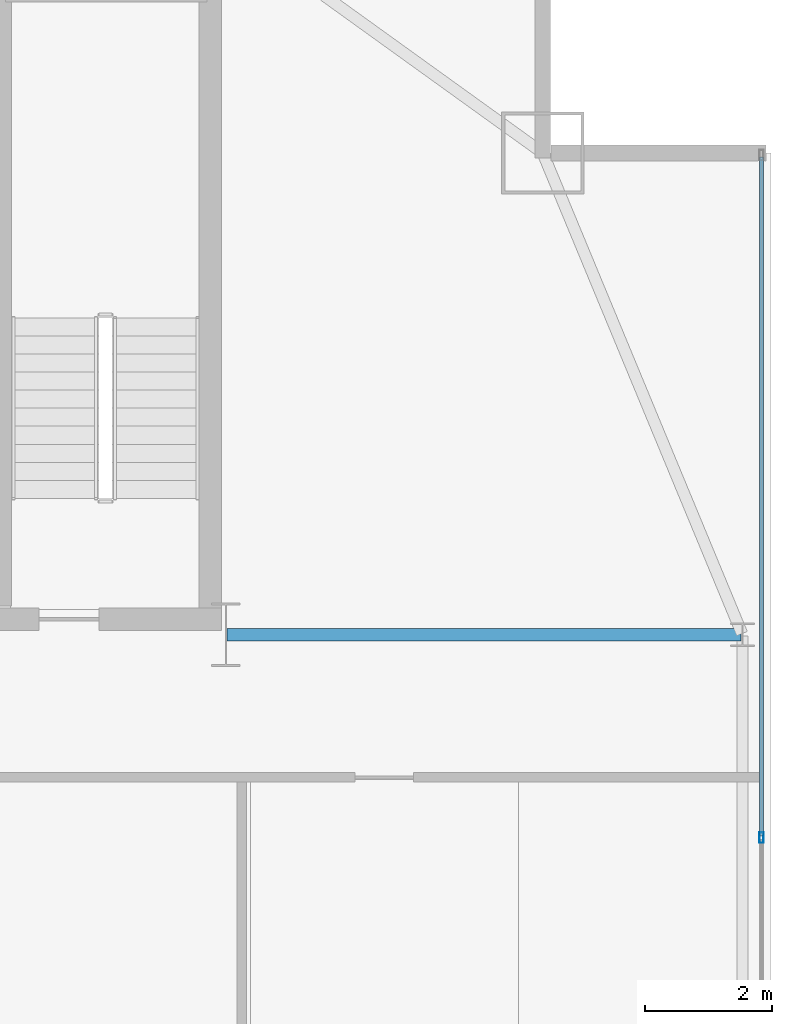
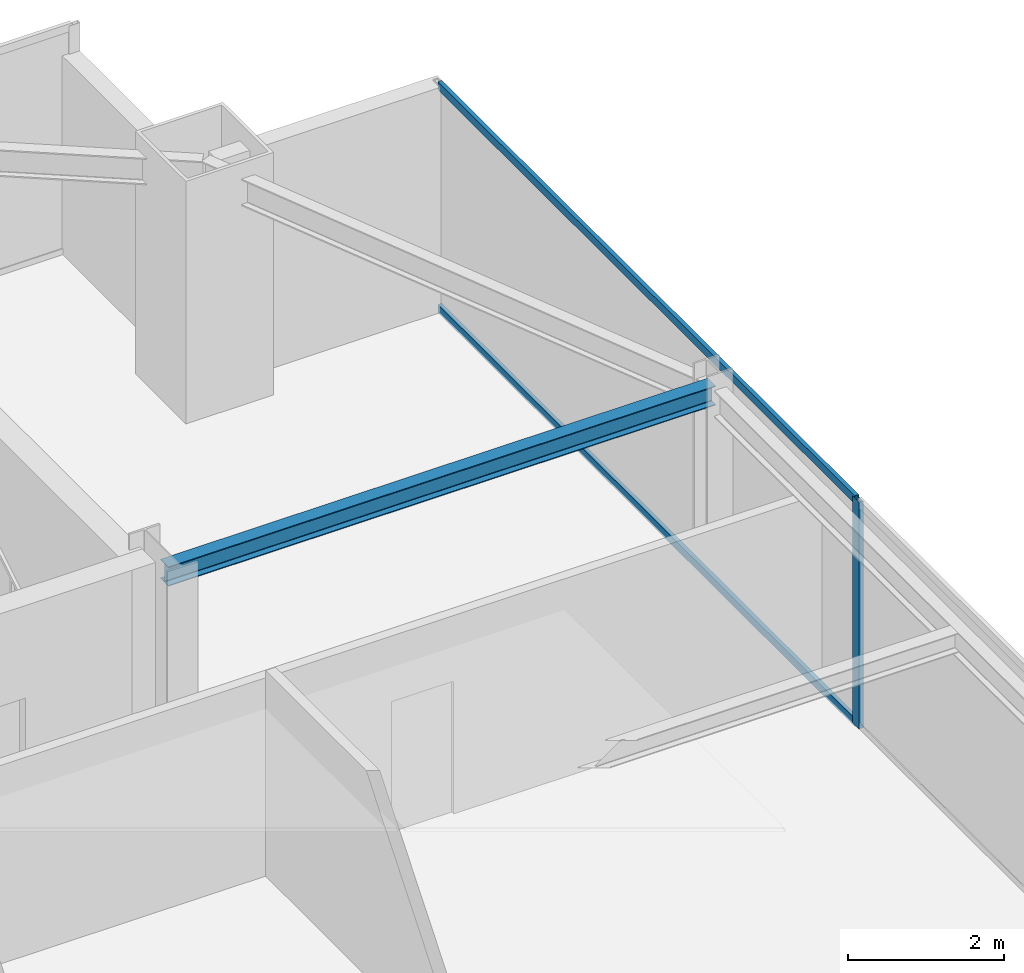
# One storey, part 19 of 30: 3 members, 1 beam, 1 element without a shape of its own.
"""IFC4 building model written with IfcOpenShell, lengths in metres."""

import ifcopenshell
import ifcopenshell.guid

model = None  # the IFC model being written
_history = None  # IfcOwnerHistory: only IFC2X3 demands one
_inside = {}  # id of a spatial element -> (the spatial element, [elements in it])
_under = {}  # id of a project, library or spatial element -> (it, [spatial elements below it])
_declared = {}  # id of a project -> (the project, [libraries it declares])
_typed = {}  # id of a type object -> (the type object, [elements of that type])
_made_of = {}  # id of a material, layer set ... -> (it, [elements and type objects made of it])


def new_model(schema):
    """Start an empty IFC model of exactly this schema.

    Asked for "IFC4X3", IfcOpenShell would pick the latest addendum, in which some entities
    have other attributes; the version numbers below select the first issue.
    IFC2X3 requires an IfcOwnerHistory on every rooted entity: one is made here for all.
    """
    global model, _history
    if schema == "IFC4X3":
        model = ifcopenshell.file(schema_version=(4, 3, 0, 0))
    else:
        model = ifcopenshell.file(schema=schema)
    _inside.clear()
    _under.clear()
    _declared.clear()
    _typed.clear()
    _made_of.clear()
    _history = None
    if model.schema == "IFC2X3":
        org = make("IfcOrganization", Name="unknown")
        user = make(
            "IfcPersonAndOrganization",
            ThePerson=make("IfcPerson", FamilyName="unknown"),
            TheOrganization=org,
        )
        app = make(
            "IfcApplication",
            ApplicationDeveloper=org,
            Version="unknown",
            ApplicationFullName="unknown",
            ApplicationIdentifier="unknown",
        )
        _history = make(
            "IfcOwnerHistory",
            OwningUser=user,
            OwningApplication=app,
            ChangeAction="ADDED",
            CreationDate=0,
        )
    return model


def make(cls, **values):
    """One entity of the class cls with the attributes given. An attribute that is None is left unset."""
    return model.create_entity(
        cls, **{name: value for name, value in values.items() if value is not None}
    )


def rooted(cls, **values):
    """An entity with a GlobalId (a new one), such as an element, a storey or a relation."""
    return make(cls, GlobalId=ifcopenshell.guid.new(), OwnerHistory=_history, **values)


def si_unit(unit_type, name, prefix=None):
    """IfcSIUnit, for example si_unit("LENGTHUNIT", "METRE", prefix="MILLI")."""
    return make("IfcSIUnit", UnitType=unit_type, Prefix=prefix, Name=name)


def assignment(units):
    """IfcUnitAssignment: the units of a project."""
    return None if units is None else make("IfcUnitAssignment", Units=units)


def point(xyz):
    """IfcCartesianPoint."""
    return None if xyz is None else make("IfcCartesianPoint", Coordinates=xyz)


def direction(xyz):
    """IfcDirection."""
    return None if xyz is None else make("IfcDirection", DirectionRatios=xyz)


def frame(location, z_axis=None, x_axis=None):
    """IfcAxis2Placement3D, a coordinate frame: its origin and axes. An axis left out is left unset."""
    return make(
        "IfcAxis2Placement3D",
        Location=point(location),
        Axis=direction(z_axis),
        RefDirection=direction(x_axis),
    )


def frame_2d(location, x_axis=None):
    """IfcAxis2Placement2D, a coordinate frame in the plane: its origin and x axis."""
    return make(
        "IfcAxis2Placement2D", Location=point(location), RefDirection=direction(x_axis)
    )


def origin():
    """The frame at (0, 0, 0) with its axes left unset."""
    return frame((0.0, 0.0, 0.0))


def origin_2d():
    """The frame at (0, 0) in the plane with its x axis left unset."""
    return frame_2d((0.0, 0.0))


def place(relative_to, where):
    """IfcLocalPlacement: puts the frame where relative to a parent placement (None: the world)."""
    return make(
        "IfcLocalPlacement", PlacementRelTo=relative_to, RelativePlacement=where
    )


def context(
    kind, dimensions, precision=None, world=None, true_north=None, identifier=None
):
    """IfcGeometricRepresentationContext, for example the 3D "Model" context."""
    return make(
        "IfcGeometricRepresentationContext",
        ContextIdentifier=identifier,
        ContextType=kind,
        CoordinateSpaceDimension=dimensions,
        Precision=precision,
        WorldCoordinateSystem=world,
        TrueNorth=true_north,
    )


def subcontext(parent, identifier, kind, view, scale=None):
    """IfcGeometricRepresentationSubContext, for example "Body" below "Model"."""
    return make(
        "IfcGeometricRepresentationSubContext",
        ContextIdentifier=identifier,
        ContextType=kind,
        ParentContext=parent,
        TargetScale=scale,
        TargetView=view,
    )


def project(units=None, contexts=None):
    """IfcProject with its units and contexts."""
    return rooted(
        "IfcProject",
        Name="project",
        RepresentationContexts=contexts,
        UnitsInContext=assignment(units),
    )


def spatial(cls, under=None, at=None, **own):
    """A site, building, storey or space (cls), placed at a placement, below another one or the project."""
    s = rooted(cls, ObjectPlacement=at, **own)
    if under is not None:
        _under.setdefault(under.id(), (under, []))[1].append(s)
    return s


def profile(cls, at=None, kind="AREA", **sizes):
    """A parametric profile (cls). Its sizes go by their IFC names, for example OverallWidth=200.0."""
    return make(cls, ProfileType=kind, Position=at, **sizes)


def hollow_rectangle(**sizes):
    """IfcRectangleHollowProfileDef."""
    return profile("IfcRectangleHollowProfileDef", **sizes)


def i_section(**sizes):
    """IfcIShapeProfileDef."""
    return profile("IfcIShapeProfileDef", **sizes)


def extrude(swept, where, along, depth):
    """IfcExtrudedAreaSolid: the profile swept, set in the frame where, extruded along a direction by depth."""
    return make(
        "IfcExtrudedAreaSolid",
        SweptArea=swept,
        Position=where,
        ExtrudedDirection=direction(along),
        Depth=depth,
    )


def shape(context_of_items, identifier, shape_type, items):
    """IfcShapeRepresentation: the items that make up one representation, for example the "Body"."""
    return make(
        "IfcShapeRepresentation",
        ContextOfItems=context_of_items,
        RepresentationIdentifier=identifier,
        RepresentationType=shape_type,
        Items=items,
    )


def source(mapping_origin, context_of_items, identifier, shape_type, items):
    """IfcRepresentationMap: a shape defined once, which mapped items show again and again."""
    return make(
        "IfcRepresentationMap",
        MappingOrigin=mapping_origin,
        MappedRepresentation=shape(context_of_items, identifier, shape_type, items),
    )


def transform(
    local_origin,
    x_axis=None,
    y_axis=None,
    z_axis=None,
    scale=None,
    scale2=None,
    scale3=None,
    uniform=True,
):
    """IfcCartesianTransformationOperator3D, or its non-uniform kind. x_axis, y_axis, z_axis: its Axis1, 2, 3."""
    if uniform:
        return make(
            "IfcCartesianTransformationOperator3D",
            Axis1=direction(x_axis),
            Axis2=direction(y_axis),
            LocalOrigin=point(local_origin),
            Scale=scale,
            Axis3=direction(z_axis),
        )
    return make(
        "IfcCartesianTransformationOperator3DnonUniform",
        Axis1=direction(x_axis),
        Axis2=direction(y_axis),
        LocalOrigin=point(local_origin),
        Scale=scale,
        Axis3=direction(z_axis),
        Scale2=scale2,
        Scale3=scale3,
    )


def mapped(mapping_source, mapping_target):
    """IfcMappedItem: shows the shape of a source again, moved by a transform."""
    return make(
        "IfcMappedItem", MappingSource=mapping_source, MappingTarget=mapping_target
    )


def material(Name=None, Category=None):
    """IfcMaterial."""
    return make("IfcMaterial", Name=Name, Category=Category)


def layer(
    of_material, thickness, ventilated=None, Name=None, Category=None, Priority=None
):
    """IfcMaterialLayer: one layer of a wall or slab, of a material (None: an air gap)."""
    return make(
        "IfcMaterialLayer",
        Material=of_material,
        LayerThickness=thickness,
        IsVentilated=ventilated,
        Name=Name,
        Category=Category,
        Priority=Priority,
    )


def layer_set(layers, Name=None):
    """IfcMaterialLayerSet."""
    return make("IfcMaterialLayerSet", MaterialLayers=layers, LayerSetName=Name)


def material_profile(
    of_material, cross_section, Name=None, Category=None, Priority=None
):
    """IfcMaterialProfile: a cross section and its material."""
    return make(
        "IfcMaterialProfile",
        Name=Name,
        Material=of_material,
        Profile=cross_section,
        Priority=Priority,
        Category=Category,
    )


def profile_set(profiles, Name=None, composite=None):
    """IfcMaterialProfileSet."""
    return make(
        "IfcMaterialProfileSet",
        Name=Name,
        MaterialProfiles=profiles,
        CompositeProfile=composite,
    )


def made_of(thing, what):
    """Note that an element or type object is made of a material, layer set ...; save() writes the relation."""
    if what is not None:
        _made_of.setdefault(what.id(), (what, []))[1].append(thing)
    return thing


def type_object(cls, material=None, **own):
    """A type object (cls), such as IfcWallType, which elements share."""
    return made_of(rooted(cls, **own), material)


def type_shapes(of_type, sources):
    """Give a type object the sources (RepresentationMaps) that its elements show as mapped items."""
    of_type.RepresentationMaps = sources


def element(
    cls,
    number,
    at=None,
    inside=None,
    cuts=None,
    type_object=None,
    material=None,
    context=None,
    identifier="Body",
    shape_type=None,
    held_by="IfcProductDefinitionShape",
    body=None,
    shapes=None,
    **own,
):
    """One element of the class cls, such as IfcWall. Its Tag is "e" and its number.

    at: its placement. inside: the storey or other place that contains it. cuts: it is an
    opening in that element (IfcRelVoidsElement). A single representation is given by context,
    identifier, shape_type and body (its items); several are given by shapes. held_by: the class
    of the entity that holds the representations. save() writes the other relations.
    """
    e = rooted(cls, Tag="e%d" % number, ObjectPlacement=at, **own)
    if body is not None:
        shapes = [shape(context, identifier, shape_type, body)]
    if shapes is not None:
        e.Representation = make(held_by, Representations=shapes)
    if inside is not None:
        _inside.setdefault(inside.id(), (inside, []))[1].append(e)
    if cuts is not None:
        rooted(
            "IfcRelVoidsElement", RelatingBuildingElement=cuts, RelatedOpeningElement=e
        )
    if type_object is not None:
        _typed.setdefault(type_object.id(), (type_object, []))[1].append(e)
    return made_of(e, material)


def aggregate(whole, parts):
    """IfcRelAggregates: a whole, such as a stair, and the parts it consists of."""
    return rooted("IfcRelAggregates", RelatingObject=whole, RelatedObjects=parts)


def save(model, path):
    """Write the relations noted so far, then the file.

    IfcRelAggregates (storeys below a building ...), IfcRelContainedInSpatialStructure (elements
    in a storey), IfcRelDefinesByType, IfcRelAssociatesMaterial and IfcRelDeclares: one each for
    every whole, place, type object, material and project.
    """
    for whole, parts in _under.values():
        aggregate(whole, parts)
    for where, things in _inside.values():
        rooted(
            "IfcRelContainedInSpatialStructure",
            RelatedElements=things,
            RelatingStructure=where,
        )
    for kind, things in _typed.values():
        rooted("IfcRelDefinesByType", RelatedObjects=things, RelatingType=kind)
    for what, things in _made_of.values():
        rooted("IfcRelAssociatesMaterial", RelatedObjects=things, RelatingMaterial=what)
    for by, libraries in _declared.values():
        rooted("IfcRelDeclares", RelatingContext=by, RelatedDefinitions=libraries)
    model.write(path)


model = new_model("IFC4")

# Units and contexts
model_context = context("Model", 3, precision=1e-05, world=origin(), true_north=direction((0.0, 1.0)))
body_context = subcontext(model_context, "Body", "Model", "MODEL_VIEW")
ifc_project = project(units=[si_unit("LENGTHUNIT", "METRE"), si_unit("AREAUNIT", "SQUARE_METRE"), si_unit("VOLUMEUNIT", "CUBIC_METRE"), si_unit("PLANEANGLEUNIT", "RADIAN"), si_unit("MASSUNIT", "GRAM", prefix="KILO")], contexts=[model_context])

# Site, building, storey
site_placement = place(None, origin())
site = spatial("IfcSite", under=ifc_project, at=site_placement, CompositionType="ELEMENT")
building_placement = place(site_placement, origin())
building = spatial("IfcBuilding", under=site, at=building_placement, Name="Varnel Quay Broadcast Tower", CompositionType="ELEMENT")
storey_placement = place(building_placement, frame((0.0, 0.0, 180.0)))
storey = spatial("IfcBuildingStorey", under=building, at=storey_placement, Name="L44", CompositionType="ELEMENT", Elevation=180.0)

# Beam
ifc_material_1 = material(Name="Structural Steel CSA G40.21 350W", Category="steel")
ifc_material_profile_1 = material_profile(ifc_material_1, i_section(OverallWidth=0.202880859375, OverallDepth=0.302978515625, WebThickness=0.007568359375, FlangeThickness=0.01318359375, FilletRadius=0.011962890625, at=origin_2d()), Name="W310X60")
ifc_profile_set_1 = profile_set([ifc_material_profile_1], Name="Structural Steel CSA G40.21 350W")
beam_type = type_object("IfcBeamType", Name="Beam_W310X60", PredefinedType="JOIST", material=ifc_profile_set_1)
shared_shape_1 = source(origin(), body_context, "Body", "SweptSolid", [
    extrude(i_section(OverallWidth=0.202880859375, OverallDepth=0.302978515625, WebThickness=0.007568359375, FlangeThickness=0.01318359375, FilletRadius=0.011962890625, at=origin_2d()), origin(), (0.0, 0.0, 1.0), 8.110107421875),
])
type_shapes(beam_type, [shared_shape_1])
beam_placement = place(storey_placement, frame((52.419921875, 35.60009765625, 3.3984375), z_axis=(1.0, 0.0, 0.0), x_axis=(0.0, 1.0, 0.0)))
element("IfcBeam", 1, at=beam_placement, inside=storey, type_object=beam_type, Name="L44 East Core Tie Joist", PredefinedType="JOIST", context=body_context, shape_type="MappedRepresentation", body=[
    mapped(shared_shape_1, transform((0.0, 0.0, 0.0), x_axis=(1.0, 0.0, 0.0), y_axis=(0.0, 1.0, 0.0), z_axis=(0.0, 0.0, 1.0), scale=1.0)),
])

# Curtain wall, members
ifc_material_2 = material(Name="Anodised Bronze Aluminium 6063-T6", Category="aluminium")
ifc_layer = layer(ifc_material_2, 0.18994140625, Name="Anodised Bronze Aluminium 6063-T6")
ifc_layer_set = layer_set([ifc_layer], Name="Anodised Bronze Aluminium 6063-T6")
curtain_wall_type = type_object("IfcCurtainWallType", Name="CW_UpperTower", PredefinedType="NOTDEFINED", material=ifc_layer_set)
curtain_wall_placement = place(storey_placement, origin())
curtain_wall = element("IfcCurtainWall", 2, at=curtain_wall_placement, inside=storey, type_object=curtain_wall_type, Name="L44 East Unitised Curtain Wall", PredefinedType="NOTDEFINED")
ifc_material_profile_2 = material_profile(ifc_material_2, hollow_rectangle(XDim=0.06494140625, YDim=0.1650390625, WallThickness=0.00341796875, at=origin_2d()), Name="ALU65X165X3.5")
ifc_profile_set_2 = profile_set([ifc_material_profile_2], Name="Anodised Bronze Aluminium 6063-T6")
member_type_1 = type_object("IfcMemberType", Name="Mull_CWS-03", PredefinedType="MULLION", material=ifc_profile_set_2)
shared_shape_2 = source(origin(), body_context, "Body", "SweptSolid", [
    extrude(hollow_rectangle(XDim=0.06494140625, YDim=0.1650390625, WallThickness=0.00341796875, at=origin_2d()), origin(), (0.0, 0.0, 1.0), 3.550048828125),
])
type_shapes(member_type_1, [shared_shape_2])
member_1_placement = place(storey_placement, frame((60.85009765625, 32.39990234375, 0.0), z_axis=(0.0, 0.0, 1.0), x_axis=(-1.0, 0.0, 0.0)))
member_1 = element("IfcMember", 3, at=member_1_placement, type_object=member_type_1, Name="CWS-03 mullion 3", PredefinedType="MULLION", context=body_context, shape_type="MappedRepresentation", body=[
    mapped(shared_shape_2, transform((0.0, 0.0, 0.0), x_axis=(1.0, 0.0, 0.0), y_axis=(0.0, 1.0, 0.0), z_axis=(0.0, 0.0, 1.0), scale=1.0)),
])
ifc_material_profile_3 = material_profile(ifc_material_2, hollow_rectangle(XDim=0.06005859375, YDim=0.125, WallThickness=0.0029296875, at=origin_2d()), Name="ALU60X125X3")
ifc_profile_set_3 = profile_set([ifc_material_profile_3], Name="Anodised Bronze Aluminium 6063-T6")
member_type_2 = type_object("IfcMemberType", Name="Tran_CWS-03", PredefinedType="USERDEFINED", material=ifc_profile_set_3)
shared_shape_3 = source(origin(), body_context, "Body", "SweptSolid", [
    extrude(hollow_rectangle(XDim=0.06005859375, YDim=0.125, WallThickness=0.0029296875, at=origin_2d()), origin(), (0.0, 0.0, 1.0), 10.702392578125),
])
type_shapes(member_type_2, [shared_shape_3])
member_2_placement = place(storey_placement, frame((60.85009765625, 32.4326171875, 0.030029296875), z_axis=(0.0, 1.0, 0.0), x_axis=(-1.0, 0.0, 0.0)))
member_2 = element("IfcMember", 4, at=member_2_placement, type_object=member_type_2, Name="CWS-03 transom 3.1", ObjectType="TRANSOM", PredefinedType="USERDEFINED", context=body_context, shape_type="MappedRepresentation", body=[
    mapped(shared_shape_3, transform((0.0, 0.0, 0.0), x_axis=(1.0, 0.0, 0.0), y_axis=(0.0, 1.0, 0.0), z_axis=(0.0, 0.0, 1.0), scale=1.0)),
])
member_3_placement = place(storey_placement, frame((60.85009765625, 32.4326171875, 3.52001953125), z_axis=(0.0, 1.0, 0.0), x_axis=(-1.0, 0.0, 0.0)))
member_3 = element("IfcMember", 5, at=member_3_placement, type_object=member_type_2, Name="CWS-03 transom 3.2", ObjectType="TRANSOM", PredefinedType="USERDEFINED", context=body_context, shape_type="MappedRepresentation", body=[
    mapped(shared_shape_3, transform((0.0, 0.0, 0.0), x_axis=(1.0, 0.0, 0.0), y_axis=(0.0, 1.0, 0.0), z_axis=(0.0, 0.0, 1.0), scale=1.0)),
])
aggregate(curtain_wall, [member_1, member_2, member_3])

save(model, "model.ifc")
